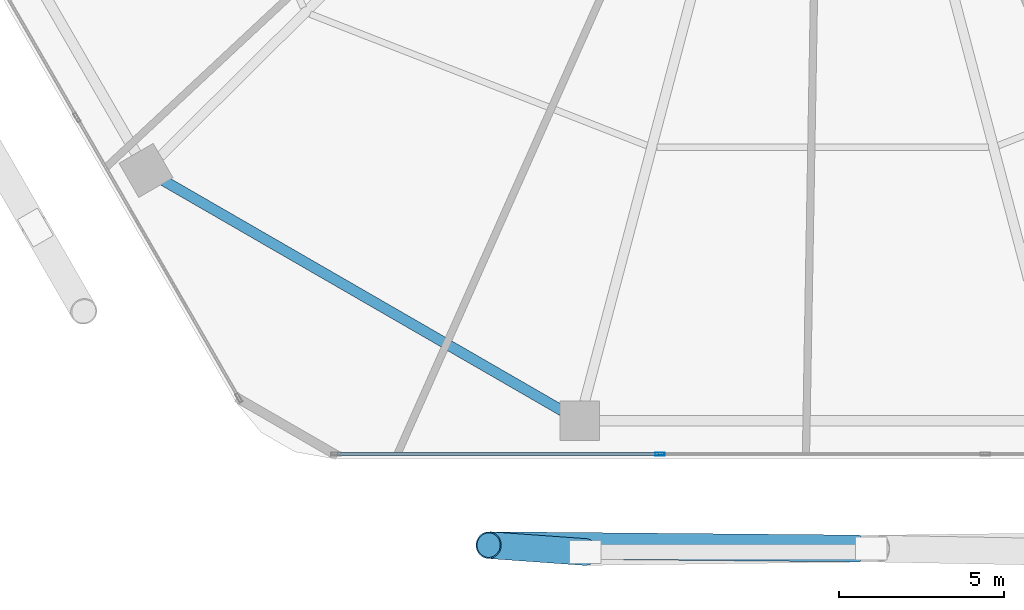
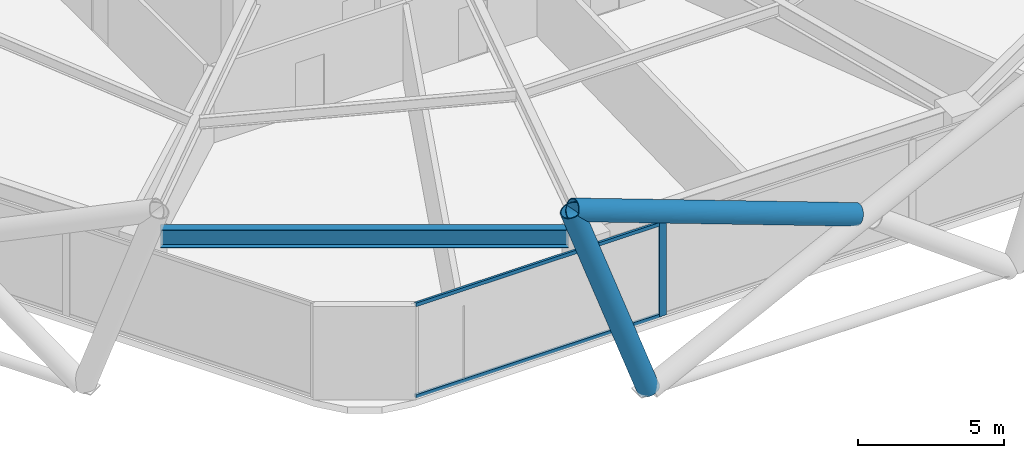
# One storey, part 3 of 28: 5 members, 1 beam, 1 element without a shape of its own.
"""IFC4 building model written with IfcOpenShell, lengths in metres."""

from ifc_helpers import new_model, si_unit, direction, frame, origin, origin_2d, place, context, subcontext, project, spatial, hollow_rectangle, hollow_circle, i_section, extrude, material, material_profile, profile_set, type_object, element, aggregate, save


model = new_model("IFC4")

# Units and contexts
model_context = context("Model", 3, precision=1e-05, world=origin(), true_north=direction((0.0, 1.0)))
body_context = subcontext(model_context, "Body", "Model", "MODEL_VIEW")
ifc_project = project(units=[si_unit("LENGTHUNIT", "METRE"), si_unit("AREAUNIT", "SQUARE_METRE"), si_unit("VOLUMEUNIT", "CUBIC_METRE"), si_unit("PLANEANGLEUNIT", "RADIAN"), si_unit("MASSUNIT", "GRAM", prefix="KILO")], contexts=[model_context])

# Site, building, storey
site_placement = place(None, origin())
site = spatial("IfcSite", under=ifc_project, at=site_placement, CompositionType="ELEMENT")
building_placement = place(site_placement, origin())
building = spatial("IfcBuilding", under=site, at=building_placement, Name="Zuhravey Tower", CompositionType="ELEMENT")
storey_placement = place(building_placement, frame((0.0, 0.0, 66.60009765625)))
storey = spatial("IfcBuildingStorey", under=building, at=storey_placement, Name="L16", CompositionType="ELEMENT", Elevation=66.60009765625)

# Curtain wall, members
ifc_material_1 = material(Name="Thermally broken anodised aluminium", Category="aluminium")
curtain_wall_type = type_object("IfcCurtainWallType", Name="School Low-E Unitised Curtain Wall CW1", PredefinedType="NOTDEFINED", material=ifc_material_1)
curtain_wall_placement = place(storey_placement, origin())
curtain_wall = element("IfcCurtainWall", 1, at=curtain_wall_placement, inside=storey, type_object=curtain_wall_type, Name="L16 CW1 CW-L16-F5-1", PredefinedType="NOTDEFINED")
ifc_material_2 = material(Name="Anodised aluminium", Category="aluminium")
ifc_material_profile_1 = material_profile(ifc_material_2, hollow_rectangle(XDim=0.090087890625, YDim=0.284912109375, WallThickness=0.0048828125, at=origin_2d()), Name="ALU-RHS-90x285x5")
ifc_profile_set_1 = profile_set([ifc_material_profile_1], Name="Anodised aluminium")
member_type_1 = type_object("IfcMemberType", Name="Curtain-Wall Mullion 90x180", PredefinedType="MULLION", material=ifc_profile_set_1)
member_1_placement = place(storey_placement, frame((31.06689453125, 3.04150390625, 0.0), z_axis=(0.0, 0.0, 1.0), x_axis=(0.0, -1.0, 0.0)))
member_1 = element("IfcMember", 2, at=member_1_placement, type_object=member_type_1, Name="CW1 mullion 3", PredefinedType="MULLION", context=body_context, shape_type="SweptSolid", body=[
    extrude(hollow_rectangle(XDim=0.090087890625, YDim=0.284912109375, WallThickness=0.0048828125, at=origin_2d()), origin(), (0.0, 0.0, 1.0), 3.919921875),
])
ifc_material_profile_2 = material_profile(ifc_material_2, hollow_rectangle(XDim=0.090087890625, YDim=0.14990234375, WallThickness=0.0048828125, at=origin_2d()), Name="ALU-RHS-90x150x5")
ifc_profile_set_2 = profile_set([ifc_material_profile_2], Name="Anodised aluminium")
member_type_2 = type_object("IfcMemberType", Name="Curtain-Wall Transom 90x150", PredefinedType="USERDEFINED", material=ifc_profile_set_2)
member_2_placement = place(storey_placement, frame((31.021728515625, 3.04150390625, 0.044921875), z_axis=(-1.0, 0.0, 0.0), x_axis=(0.0, -1.0, 0.0)))
member_2 = element("IfcMember", 3, at=member_2_placement, type_object=member_type_2, Name="CW1 transom 3.1", ObjectType="TRANSOM", PredefinedType="USERDEFINED", context=body_context, shape_type="SweptSolid", body=[
    extrude(hollow_rectangle(XDim=0.090087890625, YDim=0.14990234375, WallThickness=0.0048828125, at=origin_2d()), origin(), (0.0, 0.0, 1.0), 9.731201171875),
])
member_3_placement = place(storey_placement, frame((31.021728515625, 3.04150390625, 3.875), z_axis=(-1.0, 0.0, 0.0), x_axis=(0.0, -1.0, 0.0)))
member_3 = element("IfcMember", 4, at=member_3_placement, type_object=member_type_2, Name="CW1 transom 3.2", ObjectType="TRANSOM", PredefinedType="USERDEFINED", context=body_context, shape_type="SweptSolid", body=[
    extrude(hollow_rectangle(XDim=0.090087890625, YDim=0.14990234375, WallThickness=0.0048828125, at=origin_2d()), origin(), (0.0, 0.0, 1.0), 9.731201171875),
])
aggregate(curtain_wall, [member_1, member_2, member_3])

# Members
ifc_material_3 = material(Name="Steel SM460", Category="steel")
ifc_material_profile_3 = material_profile(ifc_material_3, hollow_circle(Radius=0.406494140625, WallThickness=0.035888671875, at=origin_2d()), Name="CHS-812.8x36")
ifc_profile_set_3 = profile_set([ifc_material_profile_3], Name="Steel SM460")
member_type_3 = type_object("IfcMemberType", Name="Exoskeleton Zone 1 Diagrid CHS813x36", PredefinedType="BRACE", material=ifc_profile_set_3)
member_4_placement = place(storey_placement, frame((28.79833984375, 0.072021484375, -0.47216796875), z_axis=(-0.330550666063, 0.02359697858, 0.943493211299), x_axis=(-0.071205668958, -0.997461654756, 0.0)))
element("IfcMember", 5, at=member_4_placement, inside=storey, type_object=member_type_3, Name="L16 Face 5 Diagrid Brace 1", PredefinedType="BRACE", context=body_context, shape_type="SweptSolid", body=[
    extrude(hollow_circle(Radius=0.406494140625, WallThickness=0.035888671875, at=origin_2d()), origin(), (0.0, 0.0, 1.0), 8.8564453125),
])
member_5_placement = place(storey_placement, frame((37.0986328125, 0.179931640625, 3.8408203125), z_axis=(-0.940311848734, 0.008494939671, 0.34020797041), x_axis=(-0.009033804095, -0.999959194359, 0.0)))
element("IfcMember", 6, at=member_5_placement, inside=storey, type_object=member_type_3, Name="L16 Face 5 Split Diagrid Brace 3B", PredefinedType="BRACE", context=body_context, shape_type="SweptSolid", body=[
    extrude(hollow_circle(Radius=0.406494140625, WallThickness=0.035888671875, at=origin_2d()), origin(), (0.0, 0.0, 1.0), 11.898193359375),
])

# Beam
ifc_material_4 = material(Name="Steel SM355", Category="steel")
ifc_material_profile_4 = material_profile(ifc_material_4, i_section(OverallWidth=0.320068359375, OverallDepth=0.75, WebThickness=0.013916015625, FlangeThickness=0.02490234375, at=origin_2d()), Name="H-750x320x14x25")
ifc_profile_set_4 = profile_set([ifc_material_profile_4], Name="Steel SM355")
beam_type = type_object("IfcBeamType", Name="Perimeter Ring Beam H750x320", PredefinedType="BEAM", material=ifc_profile_set_4)
beam_placement = place(storey_placement, frame((16.003173828125, 11.341552734375, 3.544921875), z_axis=(0.866029969761, -0.499992091414, 0.0), x_axis=(0.499992091414, 0.866029969761, 0.0)))
element("IfcBeam", 7, at=beam_placement, inside=storey, type_object=beam_type, Name="L16 PB1 BM-L16-PB-08", PredefinedType="BEAM", context=body_context, shape_type="SweptSolid", body=[
    extrude(i_section(OverallWidth=0.320068359375, OverallDepth=0.75, WebThickness=0.013916015625, FlangeThickness=0.02490234375, at=origin_2d()), origin(), (0.0, 0.0, 1.0), 13.977294921875),
])

save(model, "model.ifc")
